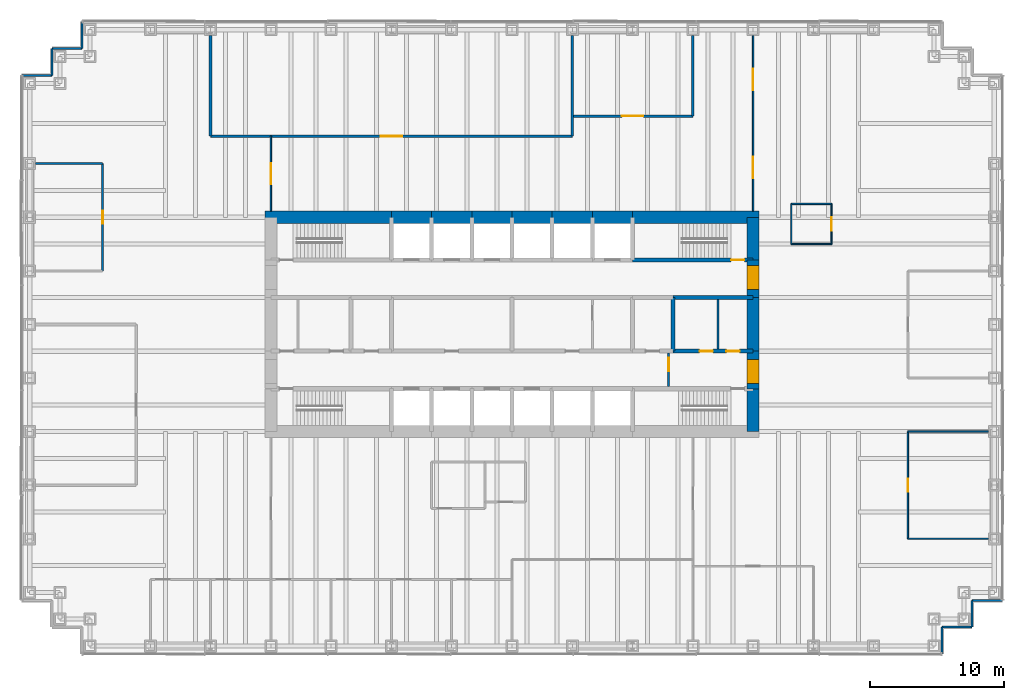
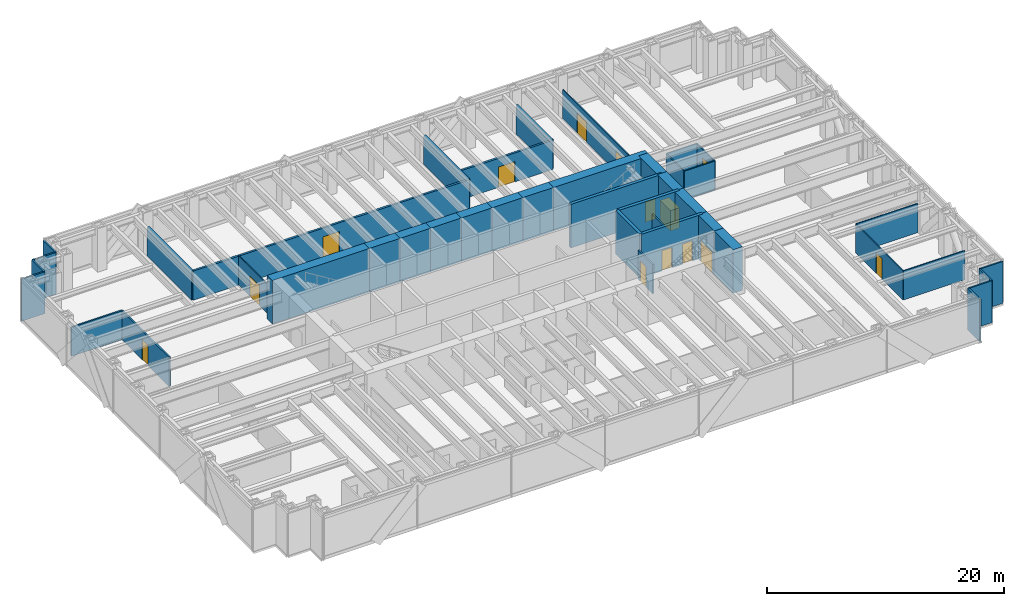
# One storey, part 11 of 13: 43 walls, 14 doors, 14 openings.
"""IFC4 building model written with IfcOpenShell, lengths in metres."""

import ifcopenshell
import ifcopenshell.guid

model = None  # the IFC model being written
_history = None  # IfcOwnerHistory: only IFC2X3 demands one
_inside = {}  # id of a spatial element -> (the spatial element, [elements in it])
_under = {}  # id of a project, library or spatial element -> (it, [spatial elements below it])
_declared = {}  # id of a project -> (the project, [libraries it declares])
_typed = {}  # id of a type object -> (the type object, [elements of that type])
_made_of = {}  # id of a material, layer set ... -> (it, [elements and type objects made of it])


def new_model(schema):
    """Start an empty IFC model of exactly this schema.

    Asked for "IFC4X3", IfcOpenShell would pick the latest addendum, in which some entities
    have other attributes; the version numbers below select the first issue.
    IFC2X3 requires an IfcOwnerHistory on every rooted entity: one is made here for all.
    """
    global model, _history
    if schema == "IFC4X3":
        model = ifcopenshell.file(schema_version=(4, 3, 0, 0))
    else:
        model = ifcopenshell.file(schema=schema)
    _inside.clear()
    _under.clear()
    _declared.clear()
    _typed.clear()
    _made_of.clear()
    _history = None
    if model.schema == "IFC2X3":
        org = make("IfcOrganization", Name="unknown")
        user = make(
            "IfcPersonAndOrganization",
            ThePerson=make("IfcPerson", FamilyName="unknown"),
            TheOrganization=org,
        )
        app = make(
            "IfcApplication",
            ApplicationDeveloper=org,
            Version="unknown",
            ApplicationFullName="unknown",
            ApplicationIdentifier="unknown",
        )
        _history = make(
            "IfcOwnerHistory",
            OwningUser=user,
            OwningApplication=app,
            ChangeAction="ADDED",
            CreationDate=0,
        )
    return model


def make(cls, **values):
    """One entity of the class cls with the attributes given. An attribute that is None is left unset."""
    return model.create_entity(
        cls, **{name: value for name, value in values.items() if value is not None}
    )


def rooted(cls, **values):
    """An entity with a GlobalId (a new one), such as an element, a storey or a relation."""
    return make(cls, GlobalId=ifcopenshell.guid.new(), OwnerHistory=_history, **values)


def si_unit(unit_type, name, prefix=None):
    """IfcSIUnit, for example si_unit("LENGTHUNIT", "METRE", prefix="MILLI")."""
    return make("IfcSIUnit", UnitType=unit_type, Prefix=prefix, Name=name)


def assignment(units):
    """IfcUnitAssignment: the units of a project."""
    return None if units is None else make("IfcUnitAssignment", Units=units)


def point(xyz):
    """IfcCartesianPoint."""
    return None if xyz is None else make("IfcCartesianPoint", Coordinates=xyz)


def direction(xyz):
    """IfcDirection."""
    return None if xyz is None else make("IfcDirection", DirectionRatios=xyz)


def frame(location, z_axis=None, x_axis=None):
    """IfcAxis2Placement3D, a coordinate frame: its origin and axes. An axis left out is left unset."""
    return make(
        "IfcAxis2Placement3D",
        Location=point(location),
        Axis=direction(z_axis),
        RefDirection=direction(x_axis),
    )


def frame_2d(location, x_axis=None):
    """IfcAxis2Placement2D, a coordinate frame in the plane: its origin and x axis."""
    return make(
        "IfcAxis2Placement2D", Location=point(location), RefDirection=direction(x_axis)
    )


def origin():
    """The frame at (0, 0, 0) with its axes left unset."""
    return frame((0.0, 0.0, 0.0))


def place(relative_to, where):
    """IfcLocalPlacement: puts the frame where relative to a parent placement (None: the world)."""
    return make(
        "IfcLocalPlacement", PlacementRelTo=relative_to, RelativePlacement=where
    )


def context(
    kind, dimensions, precision=None, world=None, true_north=None, identifier=None
):
    """IfcGeometricRepresentationContext, for example the 3D "Model" context."""
    return make(
        "IfcGeometricRepresentationContext",
        ContextIdentifier=identifier,
        ContextType=kind,
        CoordinateSpaceDimension=dimensions,
        Precision=precision,
        WorldCoordinateSystem=world,
        TrueNorth=true_north,
    )


def subcontext(parent, identifier, kind, view, scale=None):
    """IfcGeometricRepresentationSubContext, for example "Body" below "Model"."""
    return make(
        "IfcGeometricRepresentationSubContext",
        ContextIdentifier=identifier,
        ContextType=kind,
        ParentContext=parent,
        TargetScale=scale,
        TargetView=view,
    )


def project(units=None, contexts=None):
    """IfcProject with its units and contexts."""
    return rooted(
        "IfcProject",
        Name="project",
        RepresentationContexts=contexts,
        UnitsInContext=assignment(units),
    )


def spatial(cls, under=None, at=None, **own):
    """A site, building, storey or space (cls), placed at a placement, below another one or the project."""
    s = rooted(cls, ObjectPlacement=at, **own)
    if under is not None:
        _under.setdefault(under.id(), (under, []))[1].append(s)
    return s


def profile(cls, at=None, kind="AREA", **sizes):
    """A parametric profile (cls). Its sizes go by their IFC names, for example OverallWidth=200.0."""
    return make(cls, ProfileType=kind, Position=at, **sizes)


def rectangle(**sizes):
    """IfcRectangleProfileDef."""
    return profile("IfcRectangleProfileDef", **sizes)


def extrude(swept, where, along, depth):
    """IfcExtrudedAreaSolid: the profile swept, set in the frame where, extruded along a direction by depth."""
    return make(
        "IfcExtrudedAreaSolid",
        SweptArea=swept,
        Position=where,
        ExtrudedDirection=direction(along),
        Depth=depth,
    )


def shape(context_of_items, identifier, shape_type, items):
    """IfcShapeRepresentation: the items that make up one representation, for example the "Body"."""
    return make(
        "IfcShapeRepresentation",
        ContextOfItems=context_of_items,
        RepresentationIdentifier=identifier,
        RepresentationType=shape_type,
        Items=items,
    )


def material(Name=None, Category=None):
    """IfcMaterial."""
    return make("IfcMaterial", Name=Name, Category=Category)


def layer(
    of_material, thickness, ventilated=None, Name=None, Category=None, Priority=None
):
    """IfcMaterialLayer: one layer of a wall or slab, of a material (None: an air gap)."""
    return make(
        "IfcMaterialLayer",
        Material=of_material,
        LayerThickness=thickness,
        IsVentilated=ventilated,
        Name=Name,
        Category=Category,
        Priority=Priority,
    )


def layer_set(layers, Name=None):
    """IfcMaterialLayerSet."""
    return make("IfcMaterialLayerSet", MaterialLayers=layers, LayerSetName=Name)


def made_of(thing, what):
    """Note that an element or type object is made of a material, layer set ...; save() writes the relation."""
    if what is not None:
        _made_of.setdefault(what.id(), (what, []))[1].append(thing)
    return thing


def type_object(cls, material=None, **own):
    """A type object (cls), such as IfcWallType, which elements share."""
    return made_of(rooted(cls, **own), material)


def element(
    cls,
    number,
    at=None,
    inside=None,
    cuts=None,
    type_object=None,
    material=None,
    context=None,
    identifier="Body",
    shape_type=None,
    held_by="IfcProductDefinitionShape",
    body=None,
    shapes=None,
    **own,
):
    """One element of the class cls, such as IfcWall. Its Tag is "e" and its number.

    at: its placement. inside: the storey or other place that contains it. cuts: it is an
    opening in that element (IfcRelVoidsElement). A single representation is given by context,
    identifier, shape_type and body (its items); several are given by shapes. held_by: the class
    of the entity that holds the representations. save() writes the other relations.
    """
    e = rooted(cls, Tag="e%d" % number, ObjectPlacement=at, **own)
    if body is not None:
        shapes = [shape(context, identifier, shape_type, body)]
    if shapes is not None:
        e.Representation = make(held_by, Representations=shapes)
    if inside is not None:
        _inside.setdefault(inside.id(), (inside, []))[1].append(e)
    if cuts is not None:
        rooted(
            "IfcRelVoidsElement", RelatingBuildingElement=cuts, RelatedOpeningElement=e
        )
    if type_object is not None:
        _typed.setdefault(type_object.id(), (type_object, []))[1].append(e)
    return made_of(e, material)


def fill(opening, filler):
    """IfcRelFillsElement: the door or window that sits in an opening."""
    return rooted(
        "IfcRelFillsElement",
        RelatingOpeningElement=opening,
        RelatedBuildingElement=filler,
    )


def aggregate(whole, parts):
    """IfcRelAggregates: a whole, such as a stair, and the parts it consists of."""
    return rooted("IfcRelAggregates", RelatingObject=whole, RelatedObjects=parts)


def save(model, path):
    """Write the relations noted so far, then the file.

    IfcRelAggregates (storeys below a building ...), IfcRelContainedInSpatialStructure (elements
    in a storey), IfcRelDefinesByType, IfcRelAssociatesMaterial and IfcRelDeclares: one each for
    every whole, place, type object, material and project.
    """
    for whole, parts in _under.values():
        aggregate(whole, parts)
    for where, things in _inside.values():
        rooted(
            "IfcRelContainedInSpatialStructure",
            RelatedElements=things,
            RelatingStructure=where,
        )
    for kind, things in _typed.values():
        rooted("IfcRelDefinesByType", RelatedObjects=things, RelatingType=kind)
    for what, things in _made_of.values():
        rooted("IfcRelAssociatesMaterial", RelatedObjects=things, RelatingMaterial=what)
    for by, libraries in _declared.values():
        rooted("IfcRelDeclares", RelatingContext=by, RelatedDefinitions=libraries)
    model.write(path)


model = new_model("IFC4")

# Units and contexts
model_context = context("Model", 3, precision=1e-05, world=origin(), true_north=direction((0.0, 1.0)))
body_context = subcontext(model_context, "Body", "Model", "MODEL_VIEW")
ifc_project = project(units=[si_unit("LENGTHUNIT", "METRE"), si_unit("AREAUNIT", "SQUARE_METRE"), si_unit("VOLUMEUNIT", "CUBIC_METRE"), si_unit("PLANEANGLEUNIT", "RADIAN"), si_unit("MASSUNIT", "GRAM", prefix="KILO")], contexts=[model_context])

# Site, building, storey
site_placement = place(None, origin())
site = spatial("IfcSite", under=ifc_project, at=site_placement, CompositionType="ELEMENT")
building_placement = place(site_placement, origin())
building = spatial("IfcBuilding", under=site, at=building_placement, Name="Rheinbord Bourse Tower", CompositionType="ELEMENT")
storey_placement = place(building_placement, frame((0.0, 0.0, 68.0)))
storey = spatial("IfcBuildingStorey", under=building, at=storey_placement, Name="L14", CompositionType="ELEMENT", Elevation=68.0)

# Wall, opening, door
ifc_material_1 = material(Name="Acoustic gypsum board partition", Category="gypsum board")
ifc_layer_1 = layer(ifc_material_1, 0.199951171875)
ifc_layer_set_1 = layer_set([ifc_layer_1], Name="ACOUSTIC PARTITION 200")
wall_type_1 = type_object("IfcWallType", Name="ACOUSTIC PARTITION 200", PredefinedType="PARTITIONING", material=ifc_layer_set_1)
wall_1_placement = place(storey_placement, frame((13.5, 38.050048828125, 0.0), z_axis=(0.0, 0.0, 1.0), x_axis=(1.0, 0.0, 0.0)))
wall_1 = element("IfcWall", 1, at=wall_1_placement, inside=storey, type_object=wall_type_1, Name="Partition L14-18", PredefinedType="PARTITIONING", context=body_context, shape_type="SweptSolid", body=[
    extrude(rectangle(XDim=27.0, YDim=0.199951171875, at=frame_2d((13.5, 0.0))), origin(), (0.0, 0.0, 1.0), 3.0),
])
opening_1_placement = place(wall_1_placement, frame((12.699951171875, 0.0, 0.0)))
opening_1 = element("IfcOpeningElement", 2, at=opening_1_placement, cuts=wall_1, Name="Opening 14D16", PredefinedType="OPENING", context=body_context, shape_type="SweptSolid", body=[
    extrude(rectangle(XDim=1.60009765625, YDim=2.10009765625, at=frame_2d((0.800048828125, 1.050048828125))), frame((0.0, 0.10986328125, 0.0), z_axis=(0.0, -1.0, 0.0), x_axis=(1.0, 0.0, 0.0)), (0.0, 0.0, 1.0), 0.219970703125),
])
ifc_material_2 = material(Name="Timber door", Category="wood")
door_type_1 = type_object("IfcDoorType", Name="DOUBLE ROOM DOOR 1600", OperationType="DOUBLE_DOOR_DOUBLE_SWING", PredefinedType="DOOR", material=ifc_material_2)
door_1_placement = place(opening_1_placement, origin())
door_1 = element("IfcDoor", 3, at=door_1_placement, inside=storey, type_object=door_type_1, Name="Clearing operations room door L14", OperationType="SINGLE_SWING_LEFT", OverallHeight=2.10009765625, OverallWidth=1.60009765625, PredefinedType="DOOR", context=body_context, shape_type="SweptSolid", body=[
    extrude(rectangle(XDim=1.60009765625, YDim=2.10009765625, at=frame_2d((0.800048828125, 1.050048828125))), frame((0.0, 0.02490234375, 0.0), z_axis=(0.0, -1.0, 0.0), x_axis=(1.0, 0.0, 0.0)), (0.0, 0.0, 1.0), 0.050048828125),
])
fill(opening_1, door_1)

wall_2_placement = place(storey_placement, frame((40.5, 39.550048828125, 0.0), z_axis=(0.0, 0.0, 1.0), x_axis=(1.0, 0.0, 0.0)))
wall_2 = element("IfcWall", 4, at=wall_2_placement, inside=storey, type_object=wall_type_1, Name="Partition L14-19", PredefinedType="PARTITIONING", context=body_context, shape_type="SweptSolid", body=[
    extrude(rectangle(XDim=9.0, YDim=0.199951171875, at=frame_2d((4.5, 0.0))), origin(), (0.0, 0.0, 1.0), 3.0),
])
opening_2_placement = place(wall_2_placement, frame((3.699951171875, 0.0, 0.0)))
opening_2 = element("IfcOpeningElement", 5, at=opening_2_placement, cuts=wall_2, Name="Opening 14D17", PredefinedType="OPENING", context=body_context, shape_type="SweptSolid", body=[
    extrude(rectangle(XDim=1.60009765625, YDim=2.10009765625, at=frame_2d((0.800048828125, 1.050048828125))), frame((0.0, 0.10986328125, 0.0), z_axis=(0.0, -1.0, 0.0), x_axis=(1.0, 0.0, 0.0)), (0.0, 0.0, 1.0), 0.219970703125),
])
door_2_placement = place(opening_2_placement, origin())
door_2 = element("IfcDoor", 6, at=door_2_placement, inside=storey, type_object=door_type_1, Name="Default management room door L14", OperationType="SINGLE_SWING_LEFT", OverallHeight=2.10009765625, OverallWidth=1.60009765625, PredefinedType="DOOR", context=body_context, shape_type="SweptSolid", body=[
    extrude(rectangle(XDim=1.60009765625, YDim=2.10009765625, at=frame_2d((0.800048828125, 1.050048828125))), frame((0.0, 0.02490234375, 0.0), z_axis=(0.0, -1.0, 0.0), x_axis=(1.0, 0.0, 0.0)), (0.0, 0.0, 1.0), 0.050048828125),
])
fill(opening_2, door_2)

# Walls
for number, where, z_axis, x_axis, name in (
    (7, (13.5, 38.050048828125, 0.0), (0.0, 0.0, 1.0), (0.0, 1.0, 0.0), "Partition L14-24"),
    (8, (40.5, 38.050048828125, 0.0), (0.0, 0.0, 1.0), (0.0, 1.0, 0.0), "Partition L14-36"),
):
    element("IfcWall", number, at=place(storey_placement, frame(where, z_axis=z_axis, x_axis=x_axis)), inside=storey, type_object=wall_type_1, Name=name, PredefinedType="PARTITIONING", context=body_context, shape_type="SweptSolid", body=[
        extrude(rectangle(XDim=7.5, YDim=0.199951171875, at=frame_2d((3.75, 0.0))), origin(), (0.0, 0.0, 1.0), 3.0),
    ])
wall_3_placement = place(storey_placement, frame((49.5, 39.550048828125, 0.0), z_axis=(0.0, 0.0, 1.0), x_axis=(0.0, 1.0, 0.0)))
element("IfcWall", 9, at=wall_3_placement, inside=storey, type_object=wall_type_1, Name="Partition L14-38", PredefinedType="PARTITIONING", context=body_context, shape_type="SweptSolid", body=[
    extrude(rectangle(XDim=6.0, YDim=0.199951171875, at=frame_2d((3.0, 0.0))), origin(), (0.0, 0.0, 1.0), 3.0),
])

# Wall, opening, door
ifc_material_3 = material(Name="Concrete C50/60", Category="concrete")
ifc_layer_2 = layer(ifc_material_3, 0.300048828125)
ifc_layer_set_2 = layer_set([ifc_layer_2], Name="CORE INNER WALL 300")
wall_type_2 = type_object("IfcWallType", Name="CORE INNER WALL 300", PredefinedType="SOLIDWALL", material=ifc_layer_set_2)
wall_4_placement = place(storey_placement, frame((45.0, 28.800048828125, 0.0), z_axis=(0.0, 0.0, 1.0), x_axis=(1.0, 0.0, 0.0)))
wall_4 = element("IfcWall", 10, at=wall_4_placement, inside=storey, type_object=wall_type_2, Name="Core wall B8 L14", PredefinedType="SOLIDWALL", context=body_context, shape_type="SweptSolid", body=[
    extrude(rectangle(XDim=9.0, YDim=0.300048828125, at=frame_2d((4.5, 0.0))), origin(), (0.0, 0.0, 1.0), 4.5),
])
opening_3_placement = place(wall_4_placement, frame((7.35009765625, 0.0, 0.0)))
opening_3 = element("IfcOpeningElement", 11, at=opening_3_placement, cuts=wall_4, Name="Opening 1440", PredefinedType="OPENING", context=body_context, shape_type="SweptSolid", body=[
    extrude(rectangle(XDim=1.0, YDim=2.10009765625, at=frame_2d((0.5, 1.050048828125))), frame((0.0, 0.159912109375, 0.0), z_axis=(0.0, -1.0, 0.0), x_axis=(1.0, 0.0, 0.0)), (0.0, 0.0, 1.0), 0.320068359375),
])
ifc_material_4 = material(Name="Steel door", Category="steel")
door_type_2 = type_object("IfcDoorType", Name="DOOR 1000 EI30", OperationType="SINGLE_SWING_LEFT", PredefinedType="DOOR", material=ifc_material_4)
door_3_placement = place(opening_3_placement, origin())
door_3 = element("IfcDoor", 12, at=door_3_placement, inside=storey, type_object=door_type_2, Name="Stair door ST4 L14", OperationType="SINGLE_SWING_RIGHT", OverallHeight=2.10009765625, OverallWidth=1.0, PredefinedType="DOOR", context=body_context, shape_type="SweptSolid", body=[
    extrude(rectangle(XDim=1.0, YDim=2.10009765625, at=frame_2d((0.5, 1.050048828125))), frame((0.0, 0.02490234375, 0.0), z_axis=(0.0, -1.0, 0.0), x_axis=(1.0, 0.0, 0.0)), (0.0, 0.0, 1.0), 0.050048828125),
])
fill(opening_3, door_3)

# Wall, openings, doors
wall_5_placement = place(storey_placement, frame((48.0, 22.0, 0.0), z_axis=(0.0, 0.0, 1.0), x_axis=(1.0, 0.0, 0.0)))
wall_5 = element("IfcWall", 13, at=wall_5_placement, inside=storey, type_object=wall_type_2, Name="Core wall C6 L14", PredefinedType="SOLIDWALL", context=body_context, shape_type="SweptSolid", body=[
    extrude(rectangle(XDim=6.0, YDim=0.300048828125, at=frame_2d((3.0, 0.0))), origin(), (0.0, 0.0, 1.0), 4.5),
])
opening_4_placement = place(wall_5_placement, frame((2.0, 0.0, 0.0)))
opening_4 = element("IfcOpeningElement", 14, at=opening_4_placement, cuts=wall_5, Name="Opening 14R6", PredefinedType="OPENING", context=body_context, shape_type="SweptSolid", body=[
    extrude(rectangle(XDim=1.0, YDim=2.10009765625, at=frame_2d((0.5, 1.050048828125))), frame((0.0, 0.159912109375, 0.0), z_axis=(0.0, -1.0, 0.0), x_axis=(1.0, 0.0, 0.0)), (0.0, 0.0, 1.0), 0.320068359375),
])
opening_5_placement = place(wall_5_placement, frame((4.0, 0.0, 0.0)))
opening_5 = element("IfcOpeningElement", 15, at=opening_5_placement, cuts=wall_5, Name="Opening 14R10", PredefinedType="OPENING", context=body_context, shape_type="SweptSolid", body=[
    extrude(rectangle(XDim=1.0, YDim=2.10009765625, at=frame_2d((0.5, 1.050048828125))), frame((0.0, 0.159912109375, 0.0), z_axis=(0.0, -1.0, 0.0), x_axis=(1.0, 0.0, 0.0)), (0.0, 0.0, 1.0), 0.320068359375),
])
door_4_placement = place(opening_5_placement, origin())
door_4 = element("IfcDoor", 16, at=door_4_placement, inside=storey, type_object=door_type_2, Name="Cleaner's store door L14", OperationType="SINGLE_SWING_RIGHT", OverallHeight=2.10009765625, OverallWidth=1.0, PredefinedType="DOOR", context=body_context, shape_type="SweptSolid", body=[
    extrude(rectangle(XDim=1.0, YDim=2.10009765625, at=frame_2d((0.5, 1.050048828125))), frame((0.0, 0.02490234375, 0.0), z_axis=(0.0, -1.0, 0.0), x_axis=(1.0, 0.0, 0.0)), (0.0, 0.0, 1.0), 0.050048828125),
])
fill(opening_5, door_4)
ifc_material_5 = material(Name="Timber door", Category="wood")
door_type_3 = type_object("IfcDoorType", Name="DOOR 1000 WC", OperationType="SINGLE_SWING_LEFT", PredefinedType="DOOR", material=ifc_material_5)
door_5_placement = place(opening_4_placement, origin())
door_5 = element("IfcDoor", 17, at=door_5_placement, inside=storey, type_object=door_type_3, Name="WC women door L14", OperationType="SINGLE_SWING_LEFT", OverallHeight=2.10009765625, OverallWidth=1.0, PredefinedType="DOOR", context=body_context, shape_type="SweptSolid", body=[
    extrude(rectangle(XDim=1.0, YDim=2.10009765625, at=frame_2d((0.5, 1.050048828125))), frame((0.0, 0.02490234375, 0.0), z_axis=(0.0, -1.0, 0.0), x_axis=(1.0, 0.0, 0.0)), (0.0, 0.0, 1.0), 0.050048828125),
])
fill(opening_4, door_5)

# Walls
wall_6_placement = place(storey_placement, frame((48.0, 26.0, 0.0), z_axis=(0.0, 0.0, 1.0), x_axis=(1.0, 0.0, 0.0)))
element("IfcWall", 18, at=wall_6_placement, inside=storey, type_object=wall_type_2, Name="Core wall D6 L14", PredefinedType="SOLIDWALL", context=body_context, shape_type="SweptSolid", body=[
    extrude(rectangle(XDim=6.0, YDim=0.300048828125, at=frame_2d((3.0, 0.0))), origin(), (0.0, 0.0, 1.0), 4.5),
])
wall_7_placement = place(storey_placement, frame((48.0, 22.0, 0.0), z_axis=(0.0, 0.0, 1.0), x_axis=(0.0, 1.0, 0.0)))
element("IfcWall", 19, at=wall_7_placement, inside=storey, type_object=wall_type_2, Name="Core wall MX48 L14", PredefinedType="SOLIDWALL", context=body_context, shape_type="SweptSolid", body=[
    extrude(rectangle(XDim=4.0, YDim=0.300048828125, at=frame_2d((2.0, 0.0))), origin(), (0.0, 0.0, 1.0), 4.5),
])
ifc_material_6 = material(Name="Gypsum board fire partition", Category="gypsum board")
ifc_layer_3 = layer(ifc_material_6, 0.14990234375)
ifc_layer_set_3 = layer_set([ifc_layer_3], Name="CORE PARTITION 150 EI30")
wall_type_3 = type_object("IfcWallType", Name="CORE PARTITION 150 EI30", PredefinedType="PARTITIONING", material=ifc_layer_set_3)
wall_8_placement = place(storey_placement, frame((51.375, 22.14990234375, 0.0), z_axis=(0.0, 0.0, 1.0), x_axis=(0.0, 1.0, 0.0)))
element("IfcWall", 20, at=wall_8_placement, inside=storey, type_object=wall_type_3, Name="Core partition L14-3", PredefinedType="PARTITIONING", context=body_context, shape_type="SweptSolid", body=[
    extrude(rectangle(XDim=3.7001953125, YDim=0.14990234375, at=frame_2d((1.85009765625, 0.0))), origin(), (0.0, 0.0, 1.0), 3.0),
])

# Wall, opening, door
wall_9_placement = place(storey_placement, frame((47.699951171875, 19.35009765625, 0.0), z_axis=(0.0, 0.0, 1.0), x_axis=(0.0, 1.0, 0.0)))
wall_9 = element("IfcWall", 21, at=wall_9_placement, inside=storey, type_object=wall_type_3, Name="Core partition L14-4", PredefinedType="PARTITIONING", context=body_context, shape_type="SweptSolid", body=[
    extrude(rectangle(XDim=2.5, YDim=0.14990234375, at=frame_2d((1.25, 0.0))), origin(), (0.0, 0.0, 1.0), 3.0),
])
opening_6_placement = place(wall_9_placement, frame((1.14990234375, 0.0, 0.0)))
opening_6 = element("IfcOpeningElement", 22, at=opening_6_placement, cuts=wall_9, Name="Opening 14L5", PredefinedType="OPENING", context=body_context, shape_type="SweptSolid", body=[
    extrude(rectangle(XDim=1.0, YDim=2.10009765625, at=frame_2d((0.5, 1.050048828125))), frame((0.0, 0.0849609375, 0.0), z_axis=(0.0, -1.0, 0.0), x_axis=(1.0, 0.0, 0.0)), (0.0, 0.0, 1.0), 0.169921875),
])
door_6_placement = place(opening_6_placement, origin())
door_6 = element("IfcDoor", 23, at=door_6_placement, inside=storey, type_object=door_type_2, Name="Stair lobby door L14", OperationType="SINGLE_SWING_RIGHT", OverallHeight=2.10009765625, OverallWidth=1.0, PredefinedType="DOOR", context=body_context, shape_type="SweptSolid", body=[
    extrude(rectangle(XDim=1.0, YDim=2.10009765625, at=frame_2d((0.5, 1.050048828125))), frame((0.0, 0.02490234375, 0.0), z_axis=(0.0, -1.0, 0.0), x_axis=(1.0, 0.0, 0.0)), (0.0, 0.0, 1.0), 0.050048828125),
])
fill(opening_6, door_6)

# Walls
ifc_material_7 = material(Name="Concrete C50/60", Category="concrete")
ifc_layer_4 = layer(ifc_material_7, 0.89990234375)
ifc_layer_set_4 = layer_set([ifc_layer_4], Name="CORE WALL 900")
wall_type_4 = type_object("IfcWallType", Name="CORE WALL 900", PredefinedType="SHEAR", material=ifc_layer_set_4)
wall_10_placement = place(storey_placement, frame((54.449951171875, 32.0, 0.0), z_axis=(0.0, 0.0, 1.0), x_axis=(-1.0, 0.0, 0.0)))
element("IfcWall", 24, at=wall_10_placement, inside=storey, type_object=wall_type_4, Name="Core wall N1 L14", PredefinedType="SHEAR", context=body_context, shape_type="SweptSolid", body=[
    extrude(rectangle(XDim=9.449951171875, YDim=0.89990234375, at=frame_2d((4.72509765625, 0.0))), origin(), (0.0, 0.0, 1.0), 4.5),
])
for number, where, z_axis, x_axis, name in (
    (25, (45.0, 32.0, 0.0), (0.0, 0.0, 1.0), (-1.0, 0.0, 0.0), "Core wall N2 L14"),
    (26, (42.0, 32.0, 0.0), (0.0, 0.0, 1.0), (-1.0, 0.0, 0.0), "Core wall N3 L14"),
    (27, (39.0, 32.0, 0.0), (0.0, 0.0, 1.0), (-1.0, 0.0, 0.0), "Core wall N4 L14"),
    (28, (36.0, 32.0, 0.0), (0.0, 0.0, 1.0), (-1.0, 0.0, 0.0), "Core wall N5 L14"),
    (29, (33.0, 32.0, 0.0), (0.0, 0.0, 1.0), (-1.0, 0.0, 0.0), "Core wall N6 L14"),
    (30, (30.0, 32.0, 0.0), (0.0, 0.0, 1.0), (-1.0, 0.0, 0.0), "Core wall N7 L14"),
):
    element("IfcWall", number, at=place(storey_placement, frame(where, z_axis=z_axis, x_axis=x_axis)), inside=storey, type_object=wall_type_4, Name=name, PredefinedType="SHEAR", context=body_context, shape_type="SweptSolid", body=[
        extrude(rectangle(XDim=3.0, YDim=0.89990234375, at=frame_2d((1.5, 0.0))), origin(), (0.0, 0.0, 1.0), 4.5),
    ])
wall_11_placement = place(storey_placement, frame((27.0, 32.0, 0.0), z_axis=(0.0, 0.0, 1.0), x_axis=(-1.0, 0.0, 0.0)))
element("IfcWall", 31, at=wall_11_placement, inside=storey, type_object=wall_type_4, Name="Core wall N8 L14", PredefinedType="SHEAR", context=body_context, shape_type="SweptSolid", body=[
    extrude(rectangle(XDim=9.449951171875, YDim=0.89990234375, at=frame_2d((4.72509765625, 0.0))), origin(), (0.0, 0.0, 1.0), 4.5),
])
wall_12_placement = place(storey_placement, frame((54.0, 16.0, 0.0), z_axis=(0.0, 0.0, 1.0), x_axis=(0.0, 1.0, 0.0)))
element("IfcWall", 32, at=wall_12_placement, inside=storey, type_object=wall_type_4, Name="Core wall E1 L14", PredefinedType="SHEAR", context=body_context, shape_type="SweptSolid", body=[
    extrude(rectangle(XDim=3.199951171875, YDim=0.89990234375, at=frame_2d((1.60009765625, 0.0))), origin(), (0.0, 0.0, 1.0), 4.5),
])

# Wall, opening, door
wall_13_placement = place(storey_placement, frame((54.0, 19.199951171875, 0.0), z_axis=(0.0, 0.0, 1.0), x_axis=(0.0, 1.0, 0.0)))
wall_13 = element("IfcWall", 33, at=wall_13_placement, inside=storey, type_object=wall_type_4, Name="Core wall E2 L14", PredefinedType="SHEAR", context=body_context, shape_type="SweptSolid", body=[
    extrude(rectangle(XDim=2.800048828125, YDim=0.89990234375, at=frame_2d((1.39990234375, 0.0))), origin(), (0.0, 0.0, 1.0), 4.5),
])
opening_7_placement = place(wall_13_placement, frame((0.39990234375, 0.0, 0.0)))
opening_7 = element("IfcOpeningElement", 34, at=opening_7_placement, cuts=wall_13, Name="Opening 14L3", PredefinedType="OPENING", context=body_context, shape_type="SweptSolid", body=[
    extrude(rectangle(XDim=1.800048828125, YDim=2.10009765625, at=frame_2d((0.89990234375, 1.050048828125))), frame((0.0, 0.4599609375, 0.0), z_axis=(0.0, -1.0, 0.0), x_axis=(1.0, 0.0, 0.0)), (0.0, 0.0, 1.0), 0.919921875),
])
ifc_material_8 = material(Name="Steel door", Category="steel")
door_type_4 = type_object("IfcDoorType", Name="DOOR 1800 EI30 DOUBLE", OperationType="DOUBLE_DOOR_DOUBLE_SWING", PredefinedType="DOOR", material=ifc_material_8)
door_7_placement = place(opening_7_placement, origin())
door_7 = element("IfcDoor", 35, at=door_7_placement, inside=storey, type_object=door_type_4, Name="Lobby door 3 L14", OperationType="SINGLE_SWING_LEFT", OverallHeight=2.10009765625, OverallWidth=1.800048828125, PredefinedType="DOOR", context=body_context, shape_type="SweptSolid", body=[
    extrude(rectangle(XDim=1.800048828125, YDim=2.10009765625, at=frame_2d((0.89990234375, 1.050048828125))), frame((0.0, 0.44970703125, 0.0), z_axis=(0.0, -1.0, 0.0), x_axis=(1.0, 0.0, 0.0)), (0.0, 0.0, 1.0), 0.8994140625),
])
fill(opening_7, door_7)

# Wall
wall_14_placement = place(storey_placement, frame((54.0, 22.0, 0.0), z_axis=(0.0, 0.0, 1.0), x_axis=(0.0, 1.0, 0.0)))
element("IfcWall", 36, at=wall_14_placement, inside=storey, type_object=wall_type_4, Name="Core wall E3 L14", PredefinedType="SHEAR", context=body_context, shape_type="SweptSolid", body=[
    extrude(rectangle(XDim=4.0, YDim=0.89990234375, at=frame_2d((2.0, 0.0))), origin(), (0.0, 0.0, 1.0), 4.5),
])

# Wall, opening, door
wall_15_placement = place(storey_placement, frame((54.0, 26.0, 0.0), z_axis=(0.0, 0.0, 1.0), x_axis=(0.0, 1.0, 0.0)))
wall_15 = element("IfcWall", 37, at=wall_15_placement, inside=storey, type_object=wall_type_4, Name="Core wall E4 L14", PredefinedType="SHEAR", context=body_context, shape_type="SweptSolid", body=[
    extrude(rectangle(XDim=2.800048828125, YDim=0.89990234375, at=frame_2d((1.39990234375, 0.0))), origin(), (0.0, 0.0, 1.0), 4.5),
])
opening_8_placement = place(wall_15_placement, frame((0.60009765625, 0.0, 0.0)))
opening_8 = element("IfcOpeningElement", 38, at=opening_8_placement, cuts=wall_15, Name="Opening 14L4", PredefinedType="OPENING", context=body_context, shape_type="SweptSolid", body=[
    extrude(rectangle(XDim=1.800048828125, YDim=2.10009765625, at=frame_2d((0.89990234375, 1.050048828125))), frame((0.0, 0.4599609375, 0.0), z_axis=(0.0, -1.0, 0.0), x_axis=(1.0, 0.0, 0.0)), (0.0, 0.0, 1.0), 0.919921875),
])
door_8_placement = place(opening_8_placement, origin())
door_8 = element("IfcDoor", 39, at=door_8_placement, inside=storey, type_object=door_type_4, Name="Lobby door 4 L14", OperationType="SINGLE_SWING_LEFT", OverallHeight=2.10009765625, OverallWidth=1.800048828125, PredefinedType="DOOR", context=body_context, shape_type="SweptSolid", body=[
    extrude(rectangle(XDim=1.800048828125, YDim=2.10009765625, at=frame_2d((0.89990234375, 1.050048828125))), frame((0.0, 0.44970703125, 0.0), z_axis=(0.0, -1.0, 0.0), x_axis=(1.0, 0.0, 0.0)), (0.0, 0.0, 1.0), 0.8994140625),
])
fill(opening_8, door_8)

# Walls
wall_16_placement = place(storey_placement, frame((54.0, 28.800048828125, 0.0), z_axis=(0.0, 0.0, 1.0), x_axis=(0.0, 1.0, 0.0)))
element("IfcWall", 40, at=wall_16_placement, inside=storey, type_object=wall_type_4, Name="Core wall E5 L14", PredefinedType="SHEAR", context=body_context, shape_type="SweptSolid", body=[
    extrude(rectangle(XDim=3.199951171875, YDim=0.89990234375, at=frame_2d((1.60009765625, 0.0))), origin(), (0.0, 0.0, 1.0), 4.5),
])
ifc_material_9 = material(Name="Black metal rainscreen panel", Category="aluminium")
ifc_layer_5 = layer(ifc_material_9, 0.14990234375)
ifc_layer_set_5 = layer_set([ifc_layer_5], Name="CORNER PIER CLADDING 150")
wall_type_5 = type_object("IfcWallType", Name="CORNER PIER CLADDING 150", PredefinedType="ELEMENTEDWALL", material=ifc_layer_set_5)
wall_17_placement = place(storey_placement, frame((68.10009765625, -0.60009765625, 0.0), z_axis=(0.0, 0.0, 1.0), x_axis=(0.0, 1.0, 0.0)))
element("IfcWall", 41, at=wall_17_placement, inside=storey, type_object=wall_type_5, Name="Corner pier cladding L14 2", PredefinedType="ELEMENTEDWALL", context=body_context, shape_type="SweptSolid", body=[
    extrude(rectangle(XDim=2.0, YDim=0.14990234375, at=frame_2d((1.0, 0.0))), origin(), (0.0, 0.0, 1.0), 4.320068359375),
])
wall_18_placement = place(storey_placement, frame((68.10009765625, 1.39990234375, 0.0), z_axis=(0.0, 0.0, 1.0), x_axis=(1.0, 0.0, 0.0)))
element("IfcWall", 42, at=wall_18_placement, inside=storey, type_object=wall_type_5, Name="Corner pier cladding L14 3", PredefinedType="ELEMENTEDWALL", context=body_context, shape_type="SweptSolid", body=[
    extrude(rectangle(XDim=2.25, YDim=0.14990234375, at=frame_2d((1.125, 0.0))), origin(), (0.0, 0.0, 1.0), 4.320068359375),
])
wall_19_placement = place(storey_placement, frame((70.35009765625, 1.39990234375, 0.0), z_axis=(0.0, 0.0, 1.0), x_axis=(0.0, 1.0, 0.0)))
element("IfcWall", 43, at=wall_19_placement, inside=storey, type_object=wall_type_5, Name="Corner pier cladding L14 4", PredefinedType="ELEMENTEDWALL", context=body_context, shape_type="SweptSolid", body=[
    extrude(rectangle(XDim=2.0, YDim=0.14990234375, at=frame_2d((1.0, 0.0))), origin(), (0.0, 0.0, 1.0), 4.320068359375),
])
wall_20_placement = place(storey_placement, frame((70.35009765625, 3.39990234375, 0.0), z_axis=(0.0, 0.0, 1.0), x_axis=(1.0, 0.0, 0.0)))
element("IfcWall", 44, at=wall_20_placement, inside=storey, type_object=wall_type_5, Name="Corner pier cladding L14 5", PredefinedType="ELEMENTEDWALL", context=body_context, shape_type="SweptSolid", body=[
    extrude(rectangle(XDim=2.25, YDim=0.14990234375, at=frame_2d((1.125, 0.0))), origin(), (0.0, 0.0, 1.0), 4.320068359375),
])
wall_21_placement = place(storey_placement, frame((3.89990234375, 46.60009765625, 0.0), z_axis=(0.0, 0.0, 1.0), x_axis=(0.0, -1.0, 0.0)))
element("IfcWall", 45, at=wall_21_placement, inside=storey, type_object=wall_type_5, Name="Corner pier cladding L14 12", PredefinedType="ELEMENTEDWALL", context=body_context, shape_type="SweptSolid", body=[
    extrude(rectangle(XDim=2.0, YDim=0.14990234375, at=frame_2d((1.0, 0.0))), origin(), (0.0, 0.0, 1.0), 4.320068359375),
])
wall_22_placement = place(storey_placement, frame((3.89990234375, 44.60009765625, 0.0), z_axis=(0.0, 0.0, 1.0), x_axis=(-1.0, 0.0, 0.0)))
element("IfcWall", 46, at=wall_22_placement, inside=storey, type_object=wall_type_5, Name="Corner pier cladding L14 13", PredefinedType="ELEMENTEDWALL", context=body_context, shape_type="SweptSolid", body=[
    extrude(rectangle(XDim=2.25, YDim=0.14990234375, at=frame_2d((1.125, 0.0))), origin(), (0.0, 0.0, 1.0), 4.320068359375),
])
wall_23_placement = place(storey_placement, frame((1.64990234375, 44.60009765625, 0.0), z_axis=(0.0, 0.0, 1.0), x_axis=(0.0, -1.0, 0.0)))
element("IfcWall", 47, at=wall_23_placement, inside=storey, type_object=wall_type_5, Name="Corner pier cladding L14 14", PredefinedType="ELEMENTEDWALL", context=body_context, shape_type="SweptSolid", body=[
    extrude(rectangle(XDim=2.0, YDim=0.14990234375, at=frame_2d((1.0, 0.0))), origin(), (0.0, 0.0, 1.0), 4.320068359375),
])
wall_24_placement = place(storey_placement, frame((1.64990234375, 42.60009765625, 0.0), z_axis=(0.0, 0.0, 1.0), x_axis=(-1.0, 0.0, 0.0)))
element("IfcWall", 48, at=wall_24_placement, inside=storey, type_object=wall_type_5, Name="Corner pier cladding L14 15", PredefinedType="ELEMENTEDWALL", context=body_context, shape_type="SweptSolid", body=[
    extrude(rectangle(XDim=2.25, YDim=0.14990234375, at=frame_2d((1.125, 0.0))), origin(), (0.0, 0.0, 1.0), 4.320068359375),
])
ifc_material_10 = material(Name="Gypsum board fire partition", Category="gypsum board")
ifc_layer_6 = layer(ifc_material_10, 0.14990234375)
ifc_layer_set_6 = layer_set([ifc_layer_6], Name="FIRE PARTITION 150 EI60")
wall_type_6 = type_object("IfcWallType", Name="FIRE PARTITION 150 EI60", PredefinedType="PARTITIONING", material=ifc_layer_set_6)
wall_25_placement = place(storey_placement, frame((0.449951171875, 36.0, 0.0), z_axis=(0.0, 0.0, 1.0), x_axis=(1.0, 0.0, 0.0)))
element("IfcWall", 49, at=wall_25_placement, inside=storey, type_object=wall_type_6, Name="Partition L14-17", PredefinedType="PARTITIONING", context=body_context, shape_type="SweptSolid", body=[
    extrude(rectangle(XDim=5.0, YDim=0.14990234375, at=frame_2d((2.5, 0.0))), origin(), (0.0, 0.0, 1.0), 3.0),
])

# Wall, opening, door
wall_26_placement = place(storey_placement, frame((5.449951171875, 28.0, 0.0), z_axis=(0.0, 0.0, 1.0), x_axis=(0.0, 1.0, 0.0)))
wall_26 = element("IfcWall", 50, at=wall_26_placement, inside=storey, type_object=wall_type_6, Name="Partition L14-20", PredefinedType="PARTITIONING", context=body_context, shape_type="SweptSolid", body=[
    extrude(rectangle(XDim=8.0, YDim=0.14990234375, at=frame_2d((4.0, 0.0))), origin(), (0.0, 0.0, 1.0), 3.0),
])
opening_9_placement = place(wall_26_placement, frame((3.5, 0.0, 0.0)))
opening_9 = element("IfcOpeningElement", 51, at=opening_9_placement, cuts=wall_26, Name="Opening 14D15", PredefinedType="OPENING", context=body_context, shape_type="SweptSolid", body=[
    extrude(rectangle(XDim=1.0, YDim=2.10009765625, at=frame_2d((0.5, 1.050048828125))), frame((0.0, 0.0849609375, 0.0), z_axis=(0.0, -1.0, 0.0), x_axis=(1.0, 0.0, 0.0)), (0.0, 0.0, 1.0), 0.169921875),
])
ifc_material_11 = material(Name="Timber fire door", Category="wood")
door_type_5 = type_object("IfcDoorType", Name="FIRE DOOR 1000 EI60", OperationType="SINGLE_SWING_LEFT", PredefinedType="DOOR", material=ifc_material_11)
door_9_placement = place(opening_9_placement, origin())
door_9 = element("IfcDoor", 52, at=door_9_placement, inside=storey, type_object=door_type_5, Name="Archive door L14", OperationType="SINGLE_SWING_LEFT", OverallHeight=2.10009765625, OverallWidth=1.0, PredefinedType="DOOR", context=body_context, shape_type="SweptSolid", body=[
    extrude(rectangle(XDim=1.0, YDim=2.10009765625, at=frame_2d((0.5, 1.050048828125))), frame((0.0, 0.02490234375, 0.0), z_axis=(0.0, -1.0, 0.0), x_axis=(1.0, 0.0, 0.0)), (0.0, 0.0, 1.0), 0.050048828125),
])
fill(opening_9, door_9)

# Walls
ifc_material_12 = material(Name="Toughened laminated glass partition", Category="glass")
ifc_layer_7 = layer(ifc_material_12, 0.10009765625)
ifc_layer_set_7 = layer_set([ifc_layer_7], Name="GLAZED PARTITION 100")
wall_type_7 = type_object("IfcWallType", Name="GLAZED PARTITION 100", PredefinedType="PARTITIONING", material=ifc_layer_set_7)
for number, where, z_axis, x_axis, name in (
    (53, (65.550048828125, 8.0, 0.0), (0.0, 0.0, 1.0), (1.0, 0.0, 0.0), "Partition L14-04"),
    (54, (65.550048828125, 16.0, 0.0), (0.0, 0.0, 1.0), (1.0, 0.0, 0.0), "Partition L14-10"),
):
    element("IfcWall", number, at=place(storey_placement, frame(where, z_axis=z_axis, x_axis=x_axis)), inside=storey, type_object=wall_type_7, Name=name, PredefinedType="PARTITIONING", context=body_context, shape_type="SweptSolid", body=[
        extrude(rectangle(XDim=6.0, YDim=0.10009765625, at=frame_2d((3.0, 0.0))), origin(), (0.0, 0.0, 1.0), 3.0),
    ])
for number, where, z_axis, x_axis, name in (
    (55, (56.85009765625, 30.0, 0.0), (0.0, 0.0, 1.0), (1.0, 0.0, 0.0), "Partition L14-15"),
    (56, (56.85009765625, 33.0, 0.0), (0.0, 0.0, 1.0), (1.0, 0.0, 0.0), "Partition L14-16"),
):
    element("IfcWall", number, at=place(storey_placement, frame(where, z_axis=z_axis, x_axis=x_axis)), inside=storey, type_object=wall_type_7, Name=name, PredefinedType="PARTITIONING", context=body_context, shape_type="SweptSolid", body=[
        extrude(rectangle(XDim=3.0, YDim=0.10009765625, at=frame_2d((1.5, 0.0))), origin(), (0.0, 0.0, 1.0), 3.0),
    ])

# Wall, opening, door
wall_27_placement = place(storey_placement, frame((18.0, 32.449951171875, 0.0), z_axis=(0.0, 0.0, 1.0), x_axis=(0.0, 1.0, 0.0)))
wall_27 = element("IfcWall", 57, at=wall_27_placement, inside=storey, type_object=wall_type_7, Name="Partition L14-27", PredefinedType="PARTITIONING", context=body_context, shape_type="SweptSolid", body=[
    extrude(rectangle(XDim=5.60009765625, YDim=0.10009765625, at=frame_2d((2.800048828125, 0.0))), origin(), (0.0, 0.0, 1.0), 3.0),
])
opening_10_placement = place(wall_27_placement, frame((2.0, 0.0, 0.0)))
opening_10 = element("IfcOpeningElement", 58, at=opening_10_placement, cuts=wall_27, Name="Opening 14D19", PredefinedType="OPENING", context=body_context, shape_type="SweptSolid", body=[
    extrude(rectangle(XDim=1.60009765625, YDim=2.10009765625, at=frame_2d((0.800048828125, 1.050048828125))), frame((0.0, 0.06005859375, 0.0), z_axis=(0.0, -1.0, 0.0), x_axis=(1.0, 0.0, 0.0)), (0.0, 0.0, 1.0), 0.1201171875),
])
door_10_placement = place(opening_10_placement, origin())
door_10 = element("IfcDoor", 59, at=door_10_placement, inside=storey, type_object=door_type_1, Name="Open area door L14", OperationType="SINGLE_SWING_LEFT", OverallHeight=2.10009765625, OverallWidth=1.60009765625, PredefinedType="DOOR", context=body_context, shape_type="SweptSolid", body=[
    extrude(rectangle(XDim=1.60009765625, YDim=2.10009765625, at=frame_2d((0.800048828125, 1.050048828125))), frame((0.0, 0.02490234375, 0.0), z_axis=(0.0, -1.0, 0.0), x_axis=(1.0, 0.0, 0.0)), (0.0, 0.0, 1.0), 0.050048828125),
])
fill(opening_10, door_10)

# Wall, openings, doors
wall_28_placement = place(storey_placement, frame((54.0, 32.449951171875, 0.0), z_axis=(0.0, 0.0, 1.0), x_axis=(0.0, 1.0, 0.0)))
wall_28 = element("IfcWall", 60, at=wall_28_placement, inside=storey, type_object=wall_type_7, Name="Partition L14-39", PredefinedType="PARTITIONING", context=body_context, shape_type="SweptSolid", body=[
    extrude(rectangle(XDim=13.10009765625, YDim=0.10009765625, at=frame_2d((6.550048828125, 0.0))), origin(), (0.0, 0.0, 1.0), 3.0),
])
opening_11_placement = place(wall_28_placement, frame((2.47509765625, 0.0, 0.0)))
opening_11 = element("IfcOpeningElement", 61, at=opening_11_placement, cuts=wall_28, Name="Opening 14D21", PredefinedType="OPENING", context=body_context, shape_type="SweptSolid", body=[
    extrude(rectangle(XDim=1.60009765625, YDim=2.10009765625, at=frame_2d((0.800048828125, 1.050048828125))), frame((0.0, 0.06005859375, 0.0), z_axis=(0.0, -1.0, 0.0), x_axis=(1.0, 0.0, 0.0)), (0.0, 0.0, 1.0), 0.1201171875),
])
opening_12_placement = place(wall_28_placement, frame((9.02490234375, 0.0, 0.0)))
opening_12 = element("IfcOpeningElement", 62, at=opening_12_placement, cuts=wall_28, Name="Opening 14D22", PredefinedType="OPENING", context=body_context, shape_type="SweptSolid", body=[
    extrude(rectangle(XDim=1.60009765625, YDim=2.10009765625, at=frame_2d((0.800048828125, 1.050048828125))), frame((0.0, 0.06005859375, 0.0), z_axis=(0.0, -1.0, 0.0), x_axis=(1.0, 0.0, 0.0)), (0.0, 0.0, 1.0), 0.1201171875),
])
door_11_placement = place(opening_11_placement, origin())
door_11 = element("IfcDoor", 63, at=door_11_placement, inside=storey, type_object=door_type_1, Name="Open area door L14", OperationType="SINGLE_SWING_LEFT", OverallHeight=2.10009765625, OverallWidth=1.60009765625, PredefinedType="DOOR", context=body_context, shape_type="SweptSolid", body=[
    extrude(rectangle(XDim=1.60009765625, YDim=2.10009765625, at=frame_2d((0.800048828125, 1.050048828125))), frame((0.0, 0.02490234375, 0.0), z_axis=(0.0, -1.0, 0.0), x_axis=(1.0, 0.0, 0.0)), (0.0, 0.0, 1.0), 0.050048828125),
])
fill(opening_11, door_11)
door_12_placement = place(opening_12_placement, origin())
door_12 = element("IfcDoor", 64, at=door_12_placement, inside=storey, type_object=door_type_1, Name="Open area door L14", OperationType="SINGLE_SWING_LEFT", OverallHeight=2.10009765625, OverallWidth=1.60009765625, PredefinedType="DOOR", context=body_context, shape_type="SweptSolid", body=[
    extrude(rectangle(XDim=1.60009765625, YDim=2.10009765625, at=frame_2d((0.800048828125, 1.050048828125))), frame((0.0, 0.02490234375, 0.0), z_axis=(0.0, -1.0, 0.0), x_axis=(1.0, 0.0, 0.0)), (0.0, 0.0, 1.0), 0.050048828125),
])
fill(opening_12, door_12)

# Wall
wall_29_placement = place(storey_placement, frame((56.85009765625, 30.0, 0.0), z_axis=(0.0, 0.0, 1.0), x_axis=(0.0, 1.0, 0.0)))
element("IfcWall", 65, at=wall_29_placement, inside=storey, type_object=wall_type_7, Name="Partition L14-40", PredefinedType="PARTITIONING", context=body_context, shape_type="SweptSolid", body=[
    extrude(rectangle(XDim=3.0, YDim=0.10009765625, at=frame_2d((1.5, 0.0))), origin(), (0.0, 0.0, 1.0), 3.0),
])

# Wall, opening, door
wall_30_placement = place(storey_placement, frame((59.85009765625, 30.0, 0.0), z_axis=(0.0, 0.0, 1.0), x_axis=(0.0, 1.0, 0.0)))
wall_30 = element("IfcWall", 66, at=wall_30_placement, inside=storey, type_object=wall_type_7, Name="Partition L14-42", PredefinedType="PARTITIONING", context=body_context, shape_type="SweptSolid", body=[
    extrude(rectangle(XDim=3.0, YDim=0.10009765625, at=frame_2d((1.5, 0.0))), origin(), (0.0, 0.0, 1.0), 3.0),
])
opening_13_placement = place(wall_30_placement, frame((1.0, 0.0, 0.0)))
opening_13 = element("IfcOpeningElement", 67, at=opening_13_placement, cuts=wall_30, Name="Opening 14D14", PredefinedType="OPENING", context=body_context, shape_type="SweptSolid", body=[
    extrude(rectangle(XDim=1.0, YDim=2.10009765625, at=frame_2d((0.5, 1.050048828125))), frame((0.0, 0.06005859375, 0.0), z_axis=(0.0, -1.0, 0.0), x_axis=(1.0, 0.0, 0.0)), (0.0, 0.0, 1.0), 0.1201171875),
])
ifc_material_13 = material(Name="Timber door", Category="wood")
door_type_6 = type_object("IfcDoorType", Name="ROOM DOOR 1000", OperationType="SINGLE_SWING_LEFT", PredefinedType="DOOR", material=ifc_material_13)
door_13_placement = place(opening_13_placement, origin())
door_13 = element("IfcDoor", 68, at=door_13_placement, inside=storey, type_object=door_type_6, Name="Quiet room door L14", OperationType="SINGLE_SWING_LEFT", OverallHeight=2.10009765625, OverallWidth=1.0, PredefinedType="DOOR", context=body_context, shape_type="SweptSolid", body=[
    extrude(rectangle(XDim=1.0, YDim=2.10009765625, at=frame_2d((0.5, 1.050048828125))), frame((0.0, 0.02490234375, 0.0), z_axis=(0.0, -1.0, 0.0), x_axis=(1.0, 0.0, 0.0)), (0.0, 0.0, 1.0), 0.050048828125),
])
fill(opening_13, door_13)

wall_31_placement = place(storey_placement, frame((65.550048828125, 8.0, 0.0), z_axis=(0.0, 0.0, 1.0), x_axis=(0.0, 1.0, 0.0)))
wall_31 = element("IfcWall", 69, at=wall_31_placement, inside=storey, type_object=wall_type_7, Name="Partition L14-43", PredefinedType="PARTITIONING", context=body_context, shape_type="SweptSolid", body=[
    extrude(rectangle(XDim=8.0, YDim=0.10009765625, at=frame_2d((4.0, 0.0))), origin(), (0.0, 0.0, 1.0), 3.0),
])
opening_14_placement = place(wall_31_placement, frame((3.5, 0.0, 0.0)))
opening_14 = element("IfcOpeningElement", 70, at=opening_14_placement, cuts=wall_31, Name="Opening 14D10", PredefinedType="OPENING", context=body_context, shape_type="SweptSolid", body=[
    extrude(rectangle(XDim=1.0, YDim=2.10009765625, at=frame_2d((0.5, 1.050048828125))), frame((0.0, 0.06005859375, 0.0), z_axis=(0.0, -1.0, 0.0), x_axis=(1.0, 0.0, 0.0)), (0.0, 0.0, 1.0), 0.1201171875),
])
door_14_placement = place(opening_14_placement, origin())
door_14 = element("IfcDoor", 71, at=door_14_placement, inside=storey, type_object=door_type_6, Name="Meeting room door L14", OperationType="SINGLE_SWING_LEFT", OverallHeight=2.10009765625, OverallWidth=1.0, PredefinedType="DOOR", context=body_context, shape_type="SweptSolid", body=[
    extrude(rectangle(XDim=1.0, YDim=2.10009765625, at=frame_2d((0.5, 1.050048828125))), frame((0.0, 0.02490234375, 0.0), z_axis=(0.0, -1.0, 0.0), x_axis=(1.0, 0.0, 0.0)), (0.0, 0.0, 1.0), 0.050048828125),
])
fill(opening_14, door_14)

save(model, "model.ifc")
